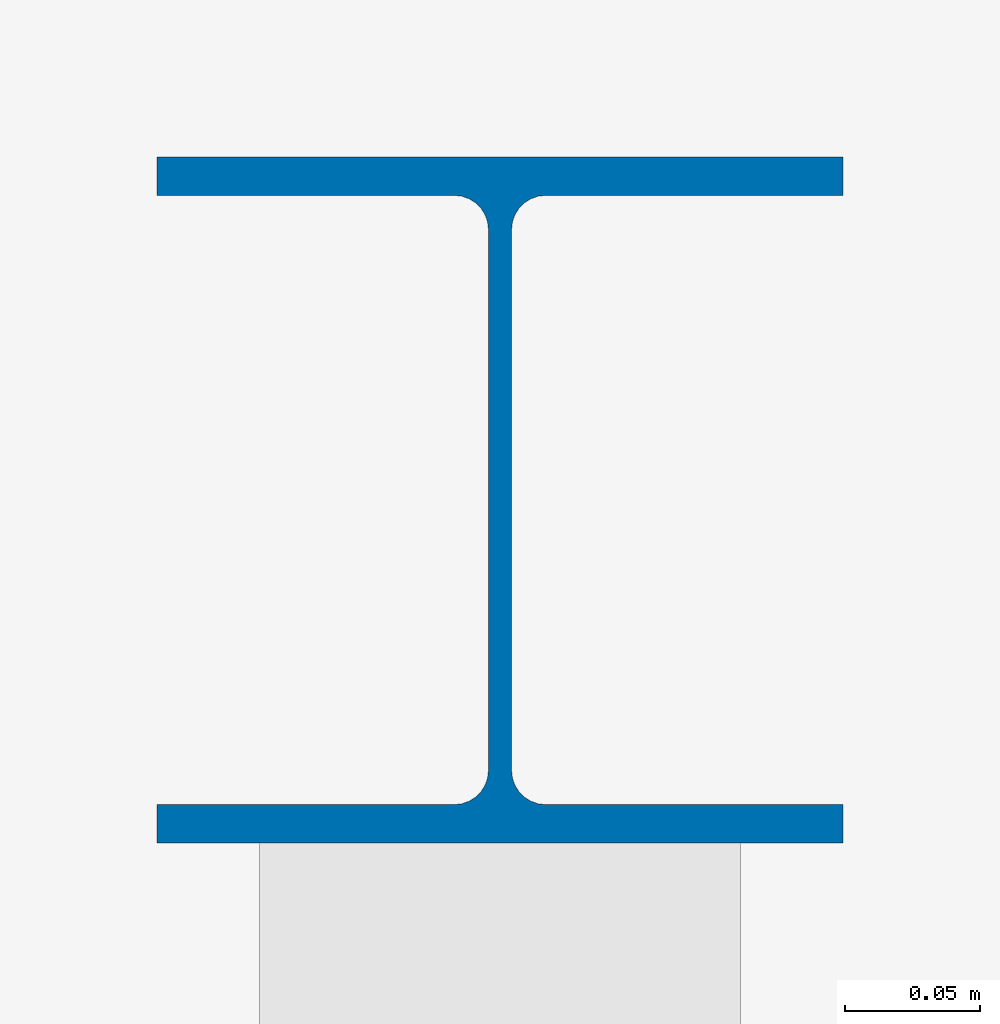
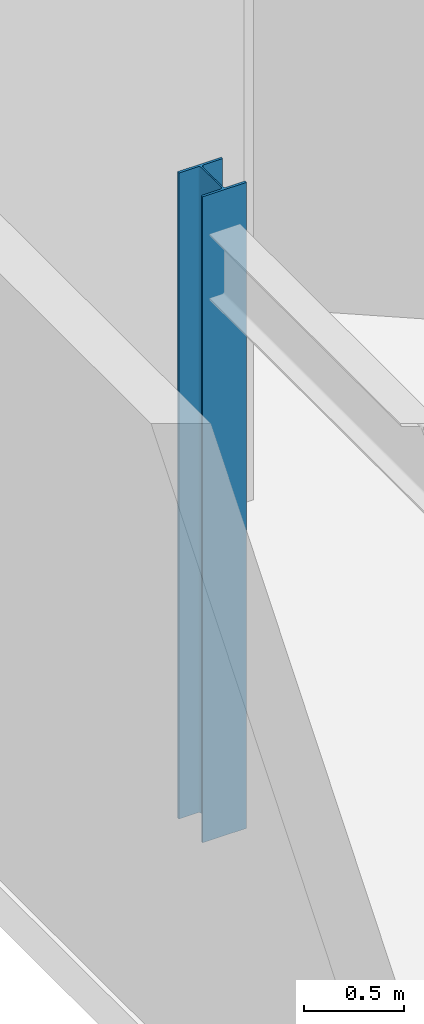
# One storey, part 4 of 15: 1 column.
"""IFC4 building model written with IfcOpenShell, lengths in metres."""

from ifc_helpers import new_model, si_unit, direction, frame, origin, origin_2d, place, context, subcontext, project, spatial, i_section, extrude, material, material_profile, profile_set, type_object, element, save


model = new_model("IFC4")

# Units and contexts
model_context = context("Model", 3, precision=1e-05, world=origin(), true_north=direction((0.0, 1.0)))
body_context = subcontext(model_context, "Body", "Model", "MODEL_VIEW")
ifc_project = project(units=[si_unit("LENGTHUNIT", "METRE"), si_unit("AREAUNIT", "SQUARE_METRE"), si_unit("VOLUMEUNIT", "CUBIC_METRE"), si_unit("PLANEANGLEUNIT", "RADIAN"), si_unit("MASSUNIT", "GRAM", prefix="KILO")], contexts=[model_context])

# Site, building, storey
site_placement = place(None, origin())
site = spatial("IfcSite", under=ifc_project, at=site_placement, CompositionType="ELEMENT")
building_placement = place(site_placement, origin())
building = spatial("IfcBuilding", under=site, at=building_placement, Name="Varnakote Quay Hospital", CompositionType="ELEMENT")
storey_placement = place(building_placement, frame((0.0, 0.0, 252.60009765625)))
storey = spatial("IfcBuildingStorey", under=building, at=storey_placement, Name="L62", CompositionType="ELEMENT", Elevation=252.60009765625)

# Column
ifc_material = material(Name="Structural steel AS/NZS 3679.1 Grade 350 L0 (fy 340 MPa)", Category="steel")
ifc_material_profile = material_profile(ifc_material, i_section(OverallWidth=0.25390625, OverallDepth=0.25390625, WebThickness=0.008544921875, FlangeThickness=0.01416015625, FilletRadius=0.0126953125, at=origin_2d()), Name="250UC72.9")
ifc_profile_set = profile_set([ifc_material_profile], Name="Structural steel AS/NZS 3679.1 Grade 350 L0 (fy 340 MPa)")
column_type = type_object("IfcColumnType", Name="COL-STL-250UC72-9", PredefinedType="COLUMN", material=ifc_profile_set)
column_placement = place(storey_placement, frame((1.199951171875, 37.199951171875, 0.0), z_axis=(0.0, 0.0, 1.0), x_axis=(1.0, 0.0, 0.0)))
element("IfcColumn", 1, at=column_placement, inside=storey, type_object=column_type, Name="L62 Structural Column C-1-37", PredefinedType="COLUMN", context=body_context, shape_type="SweptSolid", body=[
    extrude(i_section(OverallWidth=0.25390625, OverallDepth=0.25390625, WebThickness=0.008544921875, FlangeThickness=0.01416015625, FilletRadius=0.0126953125, at=origin_2d()), origin(), (0.0, 0.0, 1.0), 3.949951171875),
])

save(model, "model.ifc")
